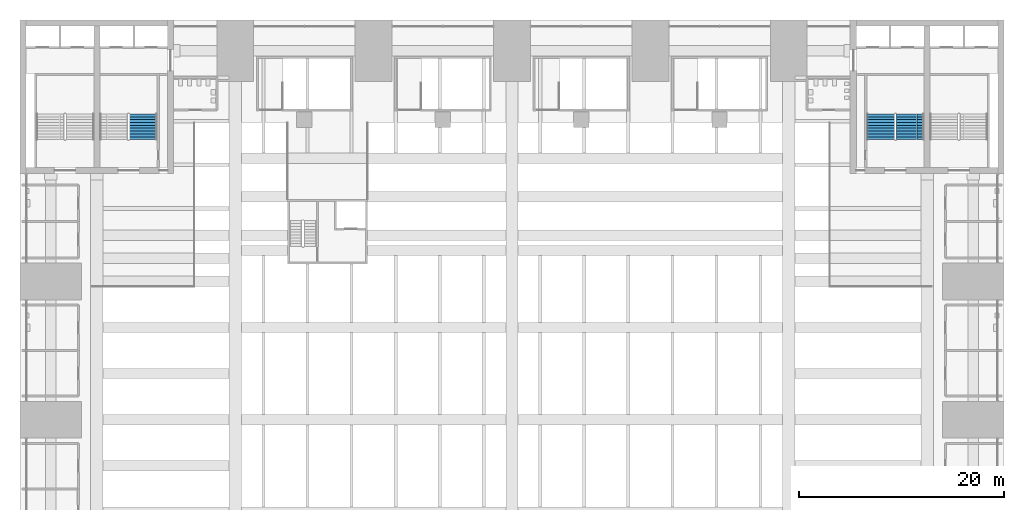
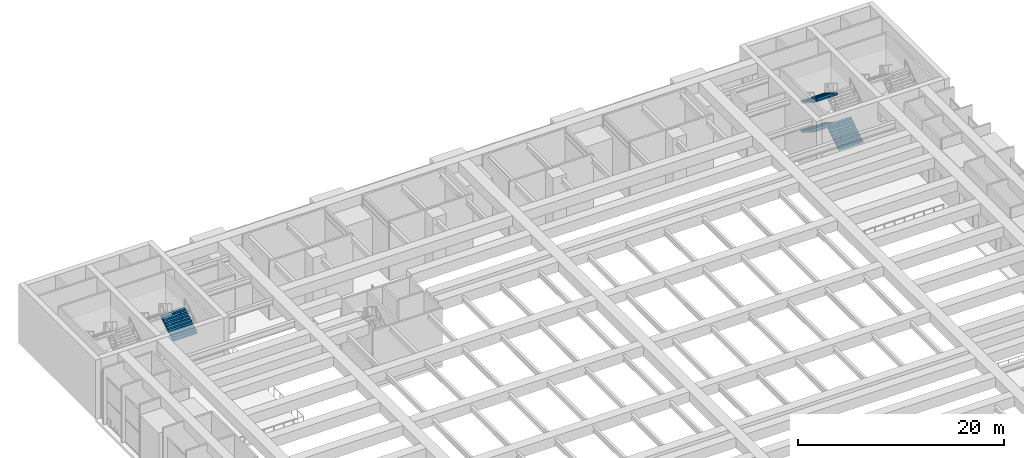
# One storey, part 38 of 45: 4 stair flights, 2 elements without a shape of their own.
"""IFC4 building model written with IfcOpenShell, lengths in metres."""

from ifc_helpers import new_model, si_unit, direction, frame, origin, place, context, subcontext, project, spatial, polyline, outline, extrude, material, type_object, element, aggregate, save


model = new_model("IFC4")

# Units and contexts
model_context = context("Model", 3, precision=1e-05, world=origin(), true_north=direction((0.0, 1.0)))
body_context = subcontext(model_context, "Body", "Model", "MODEL_VIEW")
ifc_project = project(units=[si_unit("LENGTHUNIT", "METRE"), si_unit("AREAUNIT", "SQUARE_METRE"), si_unit("VOLUMEUNIT", "CUBIC_METRE"), si_unit("PLANEANGLEUNIT", "RADIAN"), si_unit("MASSUNIT", "GRAM", prefix="KILO")], contexts=[model_context])

# Site, building, storey
site_placement = place(None, origin())
site = spatial("IfcSite", under=ifc_project, at=site_placement, CompositionType="ELEMENT")
building_placement = place(site_placement, origin())
building = spatial("IfcBuilding", under=site, at=building_placement, Name="Corbelhall Arena Tower", CompositionType="ELEMENT")
storey_placement = place(building_placement, frame((0.0, 0.0, 37.0)))
storey = spatial("IfcBuildingStorey", under=building, at=storey_placement, Name="L05", CompositionType="ELEMENT", Elevation=37.0)

# Stair, stair flights
ifc_material = material(Name="Reinforced concrete C40/50", Category="concrete")
stair_type = type_object("IfcStairType", Name="AR-EXIT-STAIR", PredefinedType="HALF_TURN_STAIR", material=ifc_material)
stair_1_placement = place(storey_placement, origin())
stair_1 = element("IfcStair", 1, at=stair_1_placement, inside=storey, type_object=stair_type, Name="L05 exit stair AS1", PredefinedType="HALF_TURN_STAIR")
stair_flight_type = type_object("IfcStairFlightType", Name="AR-EXIT-FLIGHT", PredefinedType="STRAIGHT", material=ifc_material)
stair_flight_1_placement = place(storey_placement, frame((38.840087890625, 27.320068359375, 0.0), z_axis=(0.0, 0.0, 1.0), x_axis=(0.0, 1.0, 0.0)))
stair_flight_1 = element("IfcStairFlight", 2, at=stair_flight_1_placement, type_object=stair_flight_type, Name="AS1 flight 1", NumberOfRisers=10, NumberOfTreads=9, PredefinedType="STRAIGHT", RiserHeight=0.175, TreadLength=0.28, context=body_context, shape_type="SweptSolid", body=[
    extrude(outline(polyline([(0.0, 0.0), (0.0, 0.175048828125), (0.280029296875, 0.175048828125), (0.280029296875, 0.35009765625), (0.56005859375, 0.35009765625), (0.56005859375, 0.52490234375), (0.840087890625, 0.52490234375), (0.840087890625, 0.699951171875), (1.1201171875, 0.699951171875), (1.1201171875, 0.875), (1.39990234375, 0.875), (1.39990234375, 1.050048828125), (1.679931640625, 1.050048828125), (1.679931640625, 1.22509765625), (1.9599609375, 1.22509765625), (1.9599609375, 1.39990234375), (2.239990234375, 1.39990234375), (2.239990234375, 1.574951171875), (2.52001953125, 1.574951171875), (2.52001953125, 1.75), (2.52001953125, 1.398193359375), (0.28271484375, 0.0), (0.0, 0.0)])), frame((0.0, 1.35986328125, 0.0), z_axis=(0.0, -1.0, 0.0), x_axis=(1.0, 0.0, 0.0)), (0.0, 0.0, 1.0), 0.449951171875),
    extrude(outline(polyline([(0.0, 0.0), (0.0, 0.175048828125), (0.280029296875, 0.175048828125), (0.280029296875, 0.35009765625), (0.56005859375, 0.35009765625), (0.56005859375, 0.52490234375), (0.840087890625, 0.52490234375), (0.840087890625, 0.699951171875), (1.1201171875, 0.699951171875), (1.1201171875, 0.875), (1.39990234375, 0.875), (1.39990234375, 1.050048828125), (1.679931640625, 1.050048828125), (1.679931640625, 1.22509765625), (1.9599609375, 1.22509765625), (1.9599609375, 1.39990234375), (2.239990234375, 1.39990234375), (2.239990234375, 1.574951171875), (2.52001953125, 1.574951171875), (2.52001953125, 1.75), (2.52001953125, 1.398193359375), (0.28271484375, 0.0), (0.0, 0.0)])), frame((0.0, 0.906005859375, 0.0), z_axis=(0.0, -1.0, 0.0), x_axis=(1.0, 0.0, 0.0)), (0.0, 0.0, 1.0), 0.25537109375),
    extrude(outline(polyline([(0.0, 0.0), (0.0, 0.175048828125), (0.280029296875, 0.175048828125), (0.280029296875, 0.35009765625), (0.56005859375, 0.35009765625), (0.56005859375, 0.52490234375), (0.840087890625, 0.52490234375), (0.840087890625, 0.699951171875), (1.1201171875, 0.699951171875), (1.1201171875, 0.875), (1.39990234375, 0.875), (1.39990234375, 1.050048828125), (1.679931640625, 1.050048828125), (1.679931640625, 1.22509765625), (1.9599609375, 1.22509765625), (1.9599609375, 1.39990234375), (2.239990234375, 1.39990234375), (2.239990234375, 1.574951171875), (2.52001953125, 1.574951171875), (2.52001953125, 1.75), (2.52001953125, 1.398193359375), (0.28271484375, 0.0), (0.0, 0.0)])), frame((0.0, 0.646484375, 0.0), z_axis=(0.0, -1.0, 0.0), x_axis=(1.0, 0.0, 0.0)), (0.0, 0.0, 1.0), 0.25537109375),
    extrude(outline(polyline([(0.0, 0.0), (0.0, 0.175048828125), (0.280029296875, 0.175048828125), (0.280029296875, 0.35009765625), (0.56005859375, 0.35009765625), (0.56005859375, 0.52490234375), (0.840087890625, 0.52490234375), (0.840087890625, 0.699951171875), (1.1201171875, 0.699951171875), (1.1201171875, 0.875), (1.39990234375, 0.875), (1.39990234375, 1.050048828125), (1.679931640625, 1.050048828125), (1.679931640625, 1.22509765625), (1.9599609375, 1.22509765625), (1.9599609375, 1.39990234375), (2.239990234375, 1.39990234375), (2.239990234375, 1.574951171875), (2.52001953125, 1.574951171875), (2.52001953125, 1.75), (2.52001953125, 1.398193359375), (0.28271484375, 0.0), (0.0, 0.0)])), frame((0.0, 0.38720703125, 0.0), z_axis=(0.0, -1.0, 0.0), x_axis=(1.0, 0.0, 0.0)), (0.0, 0.0, 1.0), 0.25537109375),
    extrude(outline(polyline([(0.0, 0.0), (0.0, 0.175048828125), (0.280029296875, 0.175048828125), (0.280029296875, 0.35009765625), (0.56005859375, 0.35009765625), (0.56005859375, 0.52490234375), (0.840087890625, 0.52490234375), (0.840087890625, 0.699951171875), (1.1201171875, 0.699951171875), (1.1201171875, 0.875), (1.39990234375, 0.875), (1.39990234375, 1.050048828125), (1.679931640625, 1.050048828125), (1.679931640625, 1.22509765625), (1.9599609375, 1.22509765625), (1.9599609375, 1.39990234375), (2.239990234375, 1.39990234375), (2.239990234375, 1.574951171875), (2.52001953125, 1.574951171875), (2.52001953125, 1.75), (2.52001953125, 1.398193359375), (0.28271484375, 0.0), (0.0, 0.0)])), frame((0.0, 0.127685546875, 0.0), z_axis=(0.0, -1.0, 0.0), x_axis=(1.0, 0.0, 0.0)), (0.0, 0.0, 1.0), 0.25537109375),
    extrude(outline(polyline([(0.0, 0.0), (0.0, 0.175048828125), (0.280029296875, 0.175048828125), (0.280029296875, 0.35009765625), (0.56005859375, 0.35009765625), (0.56005859375, 0.52490234375), (0.840087890625, 0.52490234375), (0.840087890625, 0.699951171875), (1.1201171875, 0.699951171875), (1.1201171875, 0.875), (1.39990234375, 0.875), (1.39990234375, 1.050048828125), (1.679931640625, 1.050048828125), (1.679931640625, 1.22509765625), (1.9599609375, 1.22509765625), (1.9599609375, 1.39990234375), (2.239990234375, 1.39990234375), (2.239990234375, 1.574951171875), (2.52001953125, 1.574951171875), (2.52001953125, 1.75), (2.52001953125, 1.398193359375), (0.28271484375, 0.0), (0.0, 0.0)])), frame((0.0, -0.131591796875, 0.0), z_axis=(0.0, -1.0, 0.0), x_axis=(1.0, 0.0, 0.0)), (0.0, 0.0, 1.0), 0.25537109375),
    extrude(outline(polyline([(0.0, 0.0), (0.0, 0.175048828125), (0.280029296875, 0.175048828125), (0.280029296875, 0.35009765625), (0.56005859375, 0.35009765625), (0.56005859375, 0.52490234375), (0.840087890625, 0.52490234375), (0.840087890625, 0.699951171875), (1.1201171875, 0.699951171875), (1.1201171875, 0.875), (1.39990234375, 0.875), (1.39990234375, 1.050048828125), (1.679931640625, 1.050048828125), (1.679931640625, 1.22509765625), (1.9599609375, 1.22509765625), (1.9599609375, 1.39990234375), (2.239990234375, 1.39990234375), (2.239990234375, 1.574951171875), (2.52001953125, 1.574951171875), (2.52001953125, 1.75), (2.52001953125, 1.398193359375), (0.28271484375, 0.0), (0.0, 0.0)])), frame((0.0, -0.39111328125, 0.0), z_axis=(0.0, -1.0, 0.0), x_axis=(1.0, 0.0, 0.0)), (0.0, 0.0, 1.0), 0.25537109375),
    extrude(outline(polyline([(0.0, 0.0), (0.0, 0.175048828125), (0.280029296875, 0.175048828125), (0.280029296875, 0.35009765625), (0.56005859375, 0.35009765625), (0.56005859375, 0.52490234375), (0.840087890625, 0.52490234375), (0.840087890625, 0.699951171875), (1.1201171875, 0.699951171875), (1.1201171875, 0.875), (1.39990234375, 0.875), (1.39990234375, 1.050048828125), (1.679931640625, 1.050048828125), (1.679931640625, 1.22509765625), (1.9599609375, 1.22509765625), (1.9599609375, 1.39990234375), (2.239990234375, 1.39990234375), (2.239990234375, 1.574951171875), (2.52001953125, 1.574951171875), (2.52001953125, 1.75), (2.52001953125, 1.398193359375), (0.28271484375, 0.0), (0.0, 0.0)])), frame((0.0, -0.650634765625, 0.0), z_axis=(0.0, -1.0, 0.0), x_axis=(1.0, 0.0, 0.0)), (0.0, 0.0, 1.0), 0.25537109375),
    extrude(outline(polyline([(0.0, 0.0), (0.0, 0.175048828125), (0.280029296875, 0.175048828125), (0.280029296875, 0.35009765625), (0.56005859375, 0.35009765625), (0.56005859375, 0.52490234375), (0.840087890625, 0.52490234375), (0.840087890625, 0.699951171875), (1.1201171875, 0.699951171875), (1.1201171875, 0.875), (1.39990234375, 0.875), (1.39990234375, 1.050048828125), (1.679931640625, 1.050048828125), (1.679931640625, 1.22509765625), (1.9599609375, 1.22509765625), (1.9599609375, 1.39990234375), (2.239990234375, 1.39990234375), (2.239990234375, 1.574951171875), (2.52001953125, 1.574951171875), (2.52001953125, 1.75), (2.52001953125, 1.398193359375), (0.28271484375, 0.0), (0.0, 0.0)])), frame((0.0, -0.909912109375, 0.0), z_axis=(0.0, -1.0, 0.0), x_axis=(1.0, 0.0, 0.0)), (0.0, 0.0, 1.0), 0.449951171875),
])
stair_flight_2_placement = place(storey_placement, frame((35.969970703125, 29.840087890625, 1.75), z_axis=(0.0, 0.0, 1.0), x_axis=(0.0, -1.0, 0.0)))
stair_flight_2 = element("IfcStairFlight", 3, at=stair_flight_2_placement, type_object=stair_flight_type, Name="AS1 flight 2", NumberOfRisers=10, NumberOfTreads=9, PredefinedType="STRAIGHT", RiserHeight=0.175, TreadLength=0.28, context=body_context, shape_type="SweptSolid", body=[
    extrude(outline(polyline([(0.0, 0.0), (0.0, 0.175048828125), (0.280029296875, 0.175048828125), (0.280029296875, 0.35009765625), (0.56005859375, 0.35009765625), (0.56005859375, 0.52490234375), (0.840087890625, 0.52490234375), (0.840087890625, 0.699951171875), (1.1201171875, 0.699951171875), (1.1201171875, 0.875), (1.39990234375, 0.875), (1.39990234375, 1.050048828125), (1.679931640625, 1.050048828125), (1.679931640625, 1.22509765625), (1.9599609375, 1.22509765625), (1.9599609375, 1.39990234375), (2.239990234375, 1.39990234375), (2.239990234375, 1.574951171875), (2.52001953125, 1.574951171875), (2.52001953125, 1.75), (2.52001953125, 1.398193359375), (0.28271484375, 0.0), (0.0, 0.0)])), frame((0.0, 1.35986328125, 0.0), z_axis=(0.0, -1.0, 0.0), x_axis=(1.0, 0.0, 0.0)), (0.0, 0.0, 1.0), 0.449951171875),
    extrude(outline(polyline([(0.0, 0.0), (0.0, 0.175048828125), (0.280029296875, 0.175048828125), (0.280029296875, 0.35009765625), (0.56005859375, 0.35009765625), (0.56005859375, 0.52490234375), (0.840087890625, 0.52490234375), (0.840087890625, 0.699951171875), (1.1201171875, 0.699951171875), (1.1201171875, 0.875), (1.39990234375, 0.875), (1.39990234375, 1.050048828125), (1.679931640625, 1.050048828125), (1.679931640625, 1.22509765625), (1.9599609375, 1.22509765625), (1.9599609375, 1.39990234375), (2.239990234375, 1.39990234375), (2.239990234375, 1.574951171875), (2.52001953125, 1.574951171875), (2.52001953125, 1.75), (2.52001953125, 1.398193359375), (0.28271484375, 0.0), (0.0, 0.0)])), frame((0.0, 0.906005859375, 0.0), z_axis=(0.0, -1.0, 0.0), x_axis=(1.0, 0.0, 0.0)), (0.0, 0.0, 1.0), 0.25537109375),
    extrude(outline(polyline([(0.0, 0.0), (0.0, 0.175048828125), (0.280029296875, 0.175048828125), (0.280029296875, 0.35009765625), (0.56005859375, 0.35009765625), (0.56005859375, 0.52490234375), (0.840087890625, 0.52490234375), (0.840087890625, 0.699951171875), (1.1201171875, 0.699951171875), (1.1201171875, 0.875), (1.39990234375, 0.875), (1.39990234375, 1.050048828125), (1.679931640625, 1.050048828125), (1.679931640625, 1.22509765625), (1.9599609375, 1.22509765625), (1.9599609375, 1.39990234375), (2.239990234375, 1.39990234375), (2.239990234375, 1.574951171875), (2.52001953125, 1.574951171875), (2.52001953125, 1.75), (2.52001953125, 1.398193359375), (0.28271484375, 0.0), (0.0, 0.0)])), frame((0.0, 0.646484375, 0.0), z_axis=(0.0, -1.0, 0.0), x_axis=(1.0, 0.0, 0.0)), (0.0, 0.0, 1.0), 0.25537109375),
    extrude(outline(polyline([(0.0, 0.0), (0.0, 0.175048828125), (0.280029296875, 0.175048828125), (0.280029296875, 0.35009765625), (0.56005859375, 0.35009765625), (0.56005859375, 0.52490234375), (0.840087890625, 0.52490234375), (0.840087890625, 0.699951171875), (1.1201171875, 0.699951171875), (1.1201171875, 0.875), (1.39990234375, 0.875), (1.39990234375, 1.050048828125), (1.679931640625, 1.050048828125), (1.679931640625, 1.22509765625), (1.9599609375, 1.22509765625), (1.9599609375, 1.39990234375), (2.239990234375, 1.39990234375), (2.239990234375, 1.574951171875), (2.52001953125, 1.574951171875), (2.52001953125, 1.75), (2.52001953125, 1.398193359375), (0.28271484375, 0.0), (0.0, 0.0)])), frame((0.0, 0.38720703125, 0.0), z_axis=(0.0, -1.0, 0.0), x_axis=(1.0, 0.0, 0.0)), (0.0, 0.0, 1.0), 0.25537109375),
    extrude(outline(polyline([(0.0, 0.0), (0.0, 0.175048828125), (0.280029296875, 0.175048828125), (0.280029296875, 0.35009765625), (0.56005859375, 0.35009765625), (0.56005859375, 0.52490234375), (0.840087890625, 0.52490234375), (0.840087890625, 0.699951171875), (1.1201171875, 0.699951171875), (1.1201171875, 0.875), (1.39990234375, 0.875), (1.39990234375, 1.050048828125), (1.679931640625, 1.050048828125), (1.679931640625, 1.22509765625), (1.9599609375, 1.22509765625), (1.9599609375, 1.39990234375), (2.239990234375, 1.39990234375), (2.239990234375, 1.574951171875), (2.52001953125, 1.574951171875), (2.52001953125, 1.75), (2.52001953125, 1.398193359375), (0.28271484375, 0.0), (0.0, 0.0)])), frame((0.0, 0.127685546875, 0.0), z_axis=(0.0, -1.0, 0.0), x_axis=(1.0, 0.0, 0.0)), (0.0, 0.0, 1.0), 0.25537109375),
    extrude(outline(polyline([(0.0, 0.0), (0.0, 0.175048828125), (0.280029296875, 0.175048828125), (0.280029296875, 0.35009765625), (0.56005859375, 0.35009765625), (0.56005859375, 0.52490234375), (0.840087890625, 0.52490234375), (0.840087890625, 0.699951171875), (1.1201171875, 0.699951171875), (1.1201171875, 0.875), (1.39990234375, 0.875), (1.39990234375, 1.050048828125), (1.679931640625, 1.050048828125), (1.679931640625, 1.22509765625), (1.9599609375, 1.22509765625), (1.9599609375, 1.39990234375), (2.239990234375, 1.39990234375), (2.239990234375, 1.574951171875), (2.52001953125, 1.574951171875), (2.52001953125, 1.75), (2.52001953125, 1.398193359375), (0.28271484375, 0.0), (0.0, 0.0)])), frame((0.0, -0.131591796875, 0.0), z_axis=(0.0, -1.0, 0.0), x_axis=(1.0, 0.0, 0.0)), (0.0, 0.0, 1.0), 0.25537109375),
    extrude(outline(polyline([(0.0, 0.0), (0.0, 0.175048828125), (0.280029296875, 0.175048828125), (0.280029296875, 0.35009765625), (0.56005859375, 0.35009765625), (0.56005859375, 0.52490234375), (0.840087890625, 0.52490234375), (0.840087890625, 0.699951171875), (1.1201171875, 0.699951171875), (1.1201171875, 0.875), (1.39990234375, 0.875), (1.39990234375, 1.050048828125), (1.679931640625, 1.050048828125), (1.679931640625, 1.22509765625), (1.9599609375, 1.22509765625), (1.9599609375, 1.39990234375), (2.239990234375, 1.39990234375), (2.239990234375, 1.574951171875), (2.52001953125, 1.574951171875), (2.52001953125, 1.75), (2.52001953125, 1.398193359375), (0.28271484375, 0.0), (0.0, 0.0)])), frame((0.0, -0.39111328125, 0.0), z_axis=(0.0, -1.0, 0.0), x_axis=(1.0, 0.0, 0.0)), (0.0, 0.0, 1.0), 0.25537109375),
    extrude(outline(polyline([(0.0, 0.0), (0.0, 0.175048828125), (0.280029296875, 0.175048828125), (0.280029296875, 0.35009765625), (0.56005859375, 0.35009765625), (0.56005859375, 0.52490234375), (0.840087890625, 0.52490234375), (0.840087890625, 0.699951171875), (1.1201171875, 0.699951171875), (1.1201171875, 0.875), (1.39990234375, 0.875), (1.39990234375, 1.050048828125), (1.679931640625, 1.050048828125), (1.679931640625, 1.22509765625), (1.9599609375, 1.22509765625), (1.9599609375, 1.39990234375), (2.239990234375, 1.39990234375), (2.239990234375, 1.574951171875), (2.52001953125, 1.574951171875), (2.52001953125, 1.75), (2.52001953125, 1.398193359375), (0.28271484375, 0.0), (0.0, 0.0)])), frame((0.0, -0.650634765625, 0.0), z_axis=(0.0, -1.0, 0.0), x_axis=(1.0, 0.0, 0.0)), (0.0, 0.0, 1.0), 0.25537109375),
    extrude(outline(polyline([(0.0, 0.0), (0.0, 0.175048828125), (0.280029296875, 0.175048828125), (0.280029296875, 0.35009765625), (0.56005859375, 0.35009765625), (0.56005859375, 0.52490234375), (0.840087890625, 0.52490234375), (0.840087890625, 0.699951171875), (1.1201171875, 0.699951171875), (1.1201171875, 0.875), (1.39990234375, 0.875), (1.39990234375, 1.050048828125), (1.679931640625, 1.050048828125), (1.679931640625, 1.22509765625), (1.9599609375, 1.22509765625), (1.9599609375, 1.39990234375), (2.239990234375, 1.39990234375), (2.239990234375, 1.574951171875), (2.52001953125, 1.574951171875), (2.52001953125, 1.75), (2.52001953125, 1.398193359375), (0.28271484375, 0.0), (0.0, 0.0)])), frame((0.0, -0.909912109375, 0.0), z_axis=(0.0, -1.0, 0.0), x_axis=(1.0, 0.0, 0.0)), (0.0, 0.0, 1.0), 0.449951171875),
])
stair_flight_3_placement = place(storey_placement, frame((35.969970703125, 29.840087890625, 5.25), z_axis=(0.0, 0.0, 1.0), x_axis=(0.0, -1.0, 0.0)))
stair_flight_3 = element("IfcStairFlight", 4, at=stair_flight_3_placement, type_object=stair_flight_type, Name="AS1 flight 4", NumberOfRisers=10, NumberOfTreads=9, PredefinedType="STRAIGHT", RiserHeight=0.175, TreadLength=0.28, context=body_context, shape_type="SweptSolid", body=[
    extrude(outline(polyline([(0.0, 0.0), (0.0, 0.175048828125), (0.280029296875, 0.175048828125), (0.280029296875, 0.35009765625), (0.56005859375, 0.35009765625), (0.56005859375, 0.52490234375), (0.840087890625, 0.52490234375), (0.840087890625, 0.699951171875), (1.1201171875, 0.699951171875), (1.1201171875, 0.875), (1.39990234375, 0.875), (1.39990234375, 1.050048828125), (1.679931640625, 1.050048828125), (1.679931640625, 1.22509765625), (1.9599609375, 1.22509765625), (1.9599609375, 1.39990234375), (2.239990234375, 1.39990234375), (2.239990234375, 1.574951171875), (2.52001953125, 1.574951171875), (2.52001953125, 1.75), (2.52001953125, 1.398193359375), (0.28271484375, 0.0), (0.0, 0.0)])), frame((0.0, 1.35986328125, 0.0), z_axis=(0.0, -1.0, 0.0), x_axis=(1.0, 0.0, 0.0)), (0.0, 0.0, 1.0), 0.449951171875),
    extrude(outline(polyline([(0.0, 0.0), (0.0, 0.175048828125), (0.280029296875, 0.175048828125), (0.280029296875, 0.35009765625), (0.56005859375, 0.35009765625), (0.56005859375, 0.52490234375), (0.840087890625, 0.52490234375), (0.840087890625, 0.699951171875), (1.1201171875, 0.699951171875), (1.1201171875, 0.875), (1.39990234375, 0.875), (1.39990234375, 1.050048828125), (1.679931640625, 1.050048828125), (1.679931640625, 1.22509765625), (1.9599609375, 1.22509765625), (1.9599609375, 1.39990234375), (2.239990234375, 1.39990234375), (2.239990234375, 1.574951171875), (2.52001953125, 1.574951171875), (2.52001953125, 1.75), (2.52001953125, 1.398193359375), (0.28271484375, 0.0), (0.0, 0.0)])), frame((0.0, 0.906005859375, 0.0), z_axis=(0.0, -1.0, 0.0), x_axis=(1.0, 0.0, 0.0)), (0.0, 0.0, 1.0), 0.25537109375),
    extrude(outline(polyline([(0.0, 0.0), (0.0, 0.175048828125), (0.280029296875, 0.175048828125), (0.280029296875, 0.35009765625), (0.56005859375, 0.35009765625), (0.56005859375, 0.52490234375), (0.840087890625, 0.52490234375), (0.840087890625, 0.699951171875), (1.1201171875, 0.699951171875), (1.1201171875, 0.875), (1.39990234375, 0.875), (1.39990234375, 1.050048828125), (1.679931640625, 1.050048828125), (1.679931640625, 1.22509765625), (1.9599609375, 1.22509765625), (1.9599609375, 1.39990234375), (2.239990234375, 1.39990234375), (2.239990234375, 1.574951171875), (2.52001953125, 1.574951171875), (2.52001953125, 1.75), (2.52001953125, 1.398193359375), (0.28271484375, 0.0), (0.0, 0.0)])), frame((0.0, 0.646484375, 0.0), z_axis=(0.0, -1.0, 0.0), x_axis=(1.0, 0.0, 0.0)), (0.0, 0.0, 1.0), 0.25537109375),
    extrude(outline(polyline([(0.0, 0.0), (0.0, 0.175048828125), (0.280029296875, 0.175048828125), (0.280029296875, 0.35009765625), (0.56005859375, 0.35009765625), (0.56005859375, 0.52490234375), (0.840087890625, 0.52490234375), (0.840087890625, 0.699951171875), (1.1201171875, 0.699951171875), (1.1201171875, 0.875), (1.39990234375, 0.875), (1.39990234375, 1.050048828125), (1.679931640625, 1.050048828125), (1.679931640625, 1.22509765625), (1.9599609375, 1.22509765625), (1.9599609375, 1.39990234375), (2.239990234375, 1.39990234375), (2.239990234375, 1.574951171875), (2.52001953125, 1.574951171875), (2.52001953125, 1.75), (2.52001953125, 1.398193359375), (0.28271484375, 0.0), (0.0, 0.0)])), frame((0.0, 0.38720703125, 0.0), z_axis=(0.0, -1.0, 0.0), x_axis=(1.0, 0.0, 0.0)), (0.0, 0.0, 1.0), 0.25537109375),
    extrude(outline(polyline([(0.0, 0.0), (0.0, 0.175048828125), (0.280029296875, 0.175048828125), (0.280029296875, 0.35009765625), (0.56005859375, 0.35009765625), (0.56005859375, 0.52490234375), (0.840087890625, 0.52490234375), (0.840087890625, 0.699951171875), (1.1201171875, 0.699951171875), (1.1201171875, 0.875), (1.39990234375, 0.875), (1.39990234375, 1.050048828125), (1.679931640625, 1.050048828125), (1.679931640625, 1.22509765625), (1.9599609375, 1.22509765625), (1.9599609375, 1.39990234375), (2.239990234375, 1.39990234375), (2.239990234375, 1.574951171875), (2.52001953125, 1.574951171875), (2.52001953125, 1.75), (2.52001953125, 1.398193359375), (0.28271484375, 0.0), (0.0, 0.0)])), frame((0.0, 0.127685546875, 0.0), z_axis=(0.0, -1.0, 0.0), x_axis=(1.0, 0.0, 0.0)), (0.0, 0.0, 1.0), 0.25537109375),
    extrude(outline(polyline([(0.0, 0.0), (0.0, 0.175048828125), (0.280029296875, 0.175048828125), (0.280029296875, 0.35009765625), (0.56005859375, 0.35009765625), (0.56005859375, 0.52490234375), (0.840087890625, 0.52490234375), (0.840087890625, 0.699951171875), (1.1201171875, 0.699951171875), (1.1201171875, 0.875), (1.39990234375, 0.875), (1.39990234375, 1.050048828125), (1.679931640625, 1.050048828125), (1.679931640625, 1.22509765625), (1.9599609375, 1.22509765625), (1.9599609375, 1.39990234375), (2.239990234375, 1.39990234375), (2.239990234375, 1.574951171875), (2.52001953125, 1.574951171875), (2.52001953125, 1.75), (2.52001953125, 1.398193359375), (0.28271484375, 0.0), (0.0, 0.0)])), frame((0.0, -0.131591796875, 0.0), z_axis=(0.0, -1.0, 0.0), x_axis=(1.0, 0.0, 0.0)), (0.0, 0.0, 1.0), 0.25537109375),
    extrude(outline(polyline([(0.0, 0.0), (0.0, 0.175048828125), (0.280029296875, 0.175048828125), (0.280029296875, 0.35009765625), (0.56005859375, 0.35009765625), (0.56005859375, 0.52490234375), (0.840087890625, 0.52490234375), (0.840087890625, 0.699951171875), (1.1201171875, 0.699951171875), (1.1201171875, 0.875), (1.39990234375, 0.875), (1.39990234375, 1.050048828125), (1.679931640625, 1.050048828125), (1.679931640625, 1.22509765625), (1.9599609375, 1.22509765625), (1.9599609375, 1.39990234375), (2.239990234375, 1.39990234375), (2.239990234375, 1.574951171875), (2.52001953125, 1.574951171875), (2.52001953125, 1.75), (2.52001953125, 1.398193359375), (0.28271484375, 0.0), (0.0, 0.0)])), frame((0.0, -0.39111328125, 0.0), z_axis=(0.0, -1.0, 0.0), x_axis=(1.0, 0.0, 0.0)), (0.0, 0.0, 1.0), 0.25537109375),
    extrude(outline(polyline([(0.0, 0.0), (0.0, 0.175048828125), (0.280029296875, 0.175048828125), (0.280029296875, 0.35009765625), (0.56005859375, 0.35009765625), (0.56005859375, 0.52490234375), (0.840087890625, 0.52490234375), (0.840087890625, 0.699951171875), (1.1201171875, 0.699951171875), (1.1201171875, 0.875), (1.39990234375, 0.875), (1.39990234375, 1.050048828125), (1.679931640625, 1.050048828125), (1.679931640625, 1.22509765625), (1.9599609375, 1.22509765625), (1.9599609375, 1.39990234375), (2.239990234375, 1.39990234375), (2.239990234375, 1.574951171875), (2.52001953125, 1.574951171875), (2.52001953125, 1.75), (2.52001953125, 1.398193359375), (0.28271484375, 0.0), (0.0, 0.0)])), frame((0.0, -0.650634765625, 0.0), z_axis=(0.0, -1.0, 0.0), x_axis=(1.0, 0.0, 0.0)), (0.0, 0.0, 1.0), 0.25537109375),
    extrude(outline(polyline([(0.0, 0.0), (0.0, 0.175048828125), (0.280029296875, 0.175048828125), (0.280029296875, 0.35009765625), (0.56005859375, 0.35009765625), (0.56005859375, 0.52490234375), (0.840087890625, 0.52490234375), (0.840087890625, 0.699951171875), (1.1201171875, 0.699951171875), (1.1201171875, 0.875), (1.39990234375, 0.875), (1.39990234375, 1.050048828125), (1.679931640625, 1.050048828125), (1.679931640625, 1.22509765625), (1.9599609375, 1.22509765625), (1.9599609375, 1.39990234375), (2.239990234375, 1.39990234375), (2.239990234375, 1.574951171875), (2.52001953125, 1.574951171875), (2.52001953125, 1.75), (2.52001953125, 1.398193359375), (0.28271484375, 0.0), (0.0, 0.0)])), frame((0.0, -0.909912109375, 0.0), z_axis=(0.0, -1.0, 0.0), x_axis=(1.0, 0.0, 0.0)), (0.0, 0.0, 1.0), 0.449951171875),
])
aggregate(stair_1, [stair_flight_1, stair_flight_2, stair_flight_3])

# Stair, stair flight
stair_2_placement = place(storey_placement, origin())
stair_2 = element("IfcStair", 5, at=stair_2_placement, inside=storey, type_object=stair_type, Name="L05 exit stair AS3", PredefinedType="HALF_TURN_STAIR")
stair_flight_4_placement = place(storey_placement, frame((-35.969970703125, 27.320068359375, 3.5), z_axis=(0.0, 0.0, 1.0), x_axis=(0.0, 1.0, 0.0)))
stair_flight_4 = element("IfcStairFlight", 6, at=stair_flight_4_placement, type_object=stair_flight_type, Name="AS3 flight 3", NumberOfRisers=10, NumberOfTreads=9, PredefinedType="STRAIGHT", RiserHeight=0.175, TreadLength=0.28, context=body_context, shape_type="SweptSolid", body=[
    extrude(outline(polyline([(0.0, 0.0), (0.0, 0.175048828125), (0.280029296875, 0.175048828125), (0.280029296875, 0.35009765625), (0.56005859375, 0.35009765625), (0.56005859375, 0.52490234375), (0.840087890625, 0.52490234375), (0.840087890625, 0.699951171875), (1.1201171875, 0.699951171875), (1.1201171875, 0.875), (1.39990234375, 0.875), (1.39990234375, 1.050048828125), (1.679931640625, 1.050048828125), (1.679931640625, 1.22509765625), (1.9599609375, 1.22509765625), (1.9599609375, 1.39990234375), (2.239990234375, 1.39990234375), (2.239990234375, 1.574951171875), (2.52001953125, 1.574951171875), (2.52001953125, 1.75), (2.52001953125, 1.398193359375), (0.28271484375, 0.0), (0.0, 0.0)])), frame((0.0, 1.35986328125, 0.0), z_axis=(0.0, -1.0, 0.0), x_axis=(1.0, 0.0, 0.0)), (0.0, 0.0, 1.0), 0.449951171875),
    extrude(outline(polyline([(0.0, 0.0), (0.0, 0.175048828125), (0.280029296875, 0.175048828125), (0.280029296875, 0.35009765625), (0.56005859375, 0.35009765625), (0.56005859375, 0.52490234375), (0.840087890625, 0.52490234375), (0.840087890625, 0.699951171875), (1.1201171875, 0.699951171875), (1.1201171875, 0.875), (1.39990234375, 0.875), (1.39990234375, 1.050048828125), (1.679931640625, 1.050048828125), (1.679931640625, 1.22509765625), (1.9599609375, 1.22509765625), (1.9599609375, 1.39990234375), (2.239990234375, 1.39990234375), (2.239990234375, 1.574951171875), (2.52001953125, 1.574951171875), (2.52001953125, 1.75), (2.52001953125, 1.398193359375), (0.28271484375, 0.0), (0.0, 0.0)])), frame((0.0, 0.906005859375, 0.0), z_axis=(0.0, -1.0, 0.0), x_axis=(1.0, 0.0, 0.0)), (0.0, 0.0, 1.0), 0.25537109375),
    extrude(outline(polyline([(0.0, 0.0), (0.0, 0.175048828125), (0.280029296875, 0.175048828125), (0.280029296875, 0.35009765625), (0.56005859375, 0.35009765625), (0.56005859375, 0.52490234375), (0.840087890625, 0.52490234375), (0.840087890625, 0.699951171875), (1.1201171875, 0.699951171875), (1.1201171875, 0.875), (1.39990234375, 0.875), (1.39990234375, 1.050048828125), (1.679931640625, 1.050048828125), (1.679931640625, 1.22509765625), (1.9599609375, 1.22509765625), (1.9599609375, 1.39990234375), (2.239990234375, 1.39990234375), (2.239990234375, 1.574951171875), (2.52001953125, 1.574951171875), (2.52001953125, 1.75), (2.52001953125, 1.398193359375), (0.28271484375, 0.0), (0.0, 0.0)])), frame((0.0, 0.646484375, 0.0), z_axis=(0.0, -1.0, 0.0), x_axis=(1.0, 0.0, 0.0)), (0.0, 0.0, 1.0), 0.25537109375),
    extrude(outline(polyline([(0.0, 0.0), (0.0, 0.175048828125), (0.280029296875, 0.175048828125), (0.280029296875, 0.35009765625), (0.56005859375, 0.35009765625), (0.56005859375, 0.52490234375), (0.840087890625, 0.52490234375), (0.840087890625, 0.699951171875), (1.1201171875, 0.699951171875), (1.1201171875, 0.875), (1.39990234375, 0.875), (1.39990234375, 1.050048828125), (1.679931640625, 1.050048828125), (1.679931640625, 1.22509765625), (1.9599609375, 1.22509765625), (1.9599609375, 1.39990234375), (2.239990234375, 1.39990234375), (2.239990234375, 1.574951171875), (2.52001953125, 1.574951171875), (2.52001953125, 1.75), (2.52001953125, 1.398193359375), (0.28271484375, 0.0), (0.0, 0.0)])), frame((0.0, 0.38720703125, 0.0), z_axis=(0.0, -1.0, 0.0), x_axis=(1.0, 0.0, 0.0)), (0.0, 0.0, 1.0), 0.25537109375),
    extrude(outline(polyline([(0.0, 0.0), (0.0, 0.175048828125), (0.280029296875, 0.175048828125), (0.280029296875, 0.35009765625), (0.56005859375, 0.35009765625), (0.56005859375, 0.52490234375), (0.840087890625, 0.52490234375), (0.840087890625, 0.699951171875), (1.1201171875, 0.699951171875), (1.1201171875, 0.875), (1.39990234375, 0.875), (1.39990234375, 1.050048828125), (1.679931640625, 1.050048828125), (1.679931640625, 1.22509765625), (1.9599609375, 1.22509765625), (1.9599609375, 1.39990234375), (2.239990234375, 1.39990234375), (2.239990234375, 1.574951171875), (2.52001953125, 1.574951171875), (2.52001953125, 1.75), (2.52001953125, 1.398193359375), (0.28271484375, 0.0), (0.0, 0.0)])), frame((0.0, 0.127685546875, 0.0), z_axis=(0.0, -1.0, 0.0), x_axis=(1.0, 0.0, 0.0)), (0.0, 0.0, 1.0), 0.25537109375),
    extrude(outline(polyline([(0.0, 0.0), (0.0, 0.175048828125), (0.280029296875, 0.175048828125), (0.280029296875, 0.35009765625), (0.56005859375, 0.35009765625), (0.56005859375, 0.52490234375), (0.840087890625, 0.52490234375), (0.840087890625, 0.699951171875), (1.1201171875, 0.699951171875), (1.1201171875, 0.875), (1.39990234375, 0.875), (1.39990234375, 1.050048828125), (1.679931640625, 1.050048828125), (1.679931640625, 1.22509765625), (1.9599609375, 1.22509765625), (1.9599609375, 1.39990234375), (2.239990234375, 1.39990234375), (2.239990234375, 1.574951171875), (2.52001953125, 1.574951171875), (2.52001953125, 1.75), (2.52001953125, 1.398193359375), (0.28271484375, 0.0), (0.0, 0.0)])), frame((0.0, -0.131591796875, 0.0), z_axis=(0.0, -1.0, 0.0), x_axis=(1.0, 0.0, 0.0)), (0.0, 0.0, 1.0), 0.25537109375),
    extrude(outline(polyline([(0.0, 0.0), (0.0, 0.175048828125), (0.280029296875, 0.175048828125), (0.280029296875, 0.35009765625), (0.56005859375, 0.35009765625), (0.56005859375, 0.52490234375), (0.840087890625, 0.52490234375), (0.840087890625, 0.699951171875), (1.1201171875, 0.699951171875), (1.1201171875, 0.875), (1.39990234375, 0.875), (1.39990234375, 1.050048828125), (1.679931640625, 1.050048828125), (1.679931640625, 1.22509765625), (1.9599609375, 1.22509765625), (1.9599609375, 1.39990234375), (2.239990234375, 1.39990234375), (2.239990234375, 1.574951171875), (2.52001953125, 1.574951171875), (2.52001953125, 1.75), (2.52001953125, 1.398193359375), (0.28271484375, 0.0), (0.0, 0.0)])), frame((0.0, -0.39111328125, 0.0), z_axis=(0.0, -1.0, 0.0), x_axis=(1.0, 0.0, 0.0)), (0.0, 0.0, 1.0), 0.25537109375),
    extrude(outline(polyline([(0.0, 0.0), (0.0, 0.175048828125), (0.280029296875, 0.175048828125), (0.280029296875, 0.35009765625), (0.56005859375, 0.35009765625), (0.56005859375, 0.52490234375), (0.840087890625, 0.52490234375), (0.840087890625, 0.699951171875), (1.1201171875, 0.699951171875), (1.1201171875, 0.875), (1.39990234375, 0.875), (1.39990234375, 1.050048828125), (1.679931640625, 1.050048828125), (1.679931640625, 1.22509765625), (1.9599609375, 1.22509765625), (1.9599609375, 1.39990234375), (2.239990234375, 1.39990234375), (2.239990234375, 1.574951171875), (2.52001953125, 1.574951171875), (2.52001953125, 1.75), (2.52001953125, 1.398193359375), (0.28271484375, 0.0), (0.0, 0.0)])), frame((0.0, -0.650634765625, 0.0), z_axis=(0.0, -1.0, 0.0), x_axis=(1.0, 0.0, 0.0)), (0.0, 0.0, 1.0), 0.25537109375),
    extrude(outline(polyline([(0.0, 0.0), (0.0, 0.175048828125), (0.280029296875, 0.175048828125), (0.280029296875, 0.35009765625), (0.56005859375, 0.35009765625), (0.56005859375, 0.52490234375), (0.840087890625, 0.52490234375), (0.840087890625, 0.699951171875), (1.1201171875, 0.699951171875), (1.1201171875, 0.875), (1.39990234375, 0.875), (1.39990234375, 1.050048828125), (1.679931640625, 1.050048828125), (1.679931640625, 1.22509765625), (1.9599609375, 1.22509765625), (1.9599609375, 1.39990234375), (2.239990234375, 1.39990234375), (2.239990234375, 1.574951171875), (2.52001953125, 1.574951171875), (2.52001953125, 1.75), (2.52001953125, 1.398193359375), (0.28271484375, 0.0), (0.0, 0.0)])), frame((0.0, -0.909912109375, 0.0), z_axis=(0.0, -1.0, 0.0), x_axis=(1.0, 0.0, 0.0)), (0.0, 0.0, 1.0), 0.449951171875),
])
aggregate(stair_2, [stair_flight_4])

save(model, "model.ifc")
